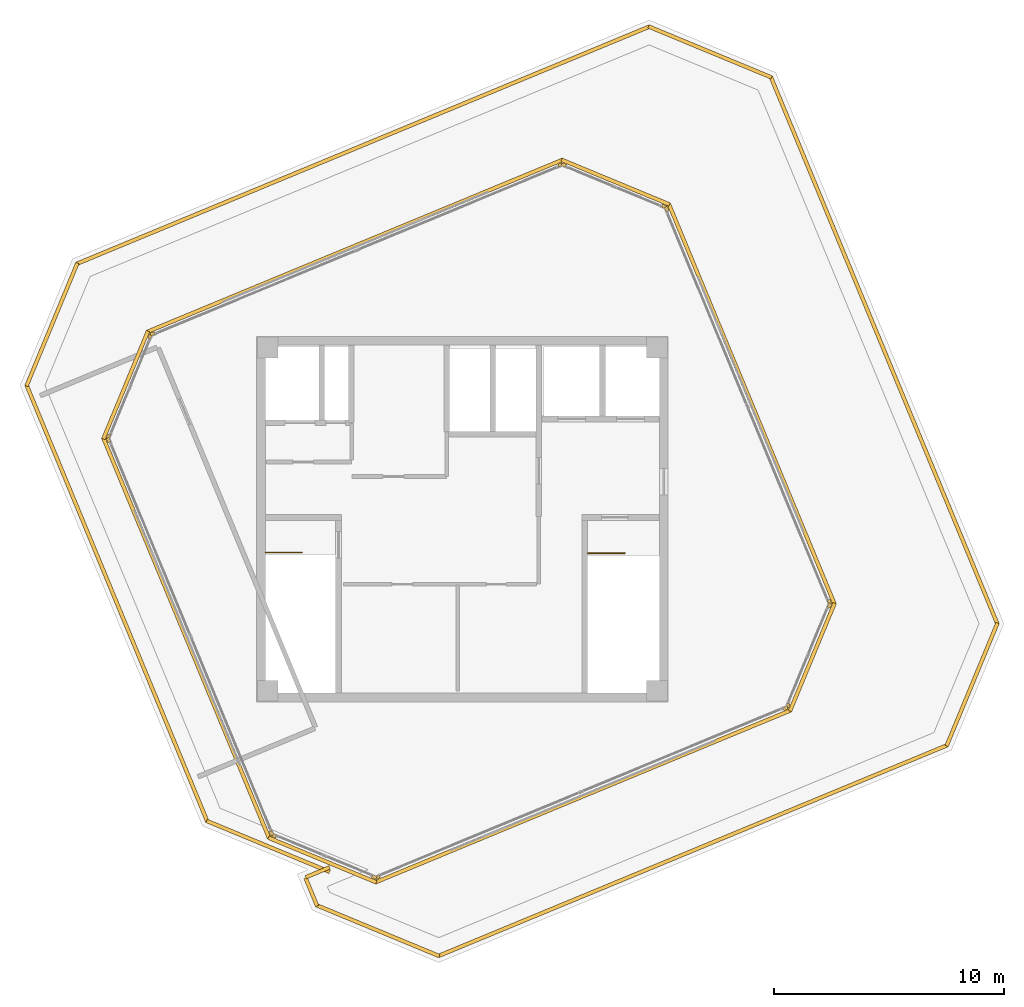
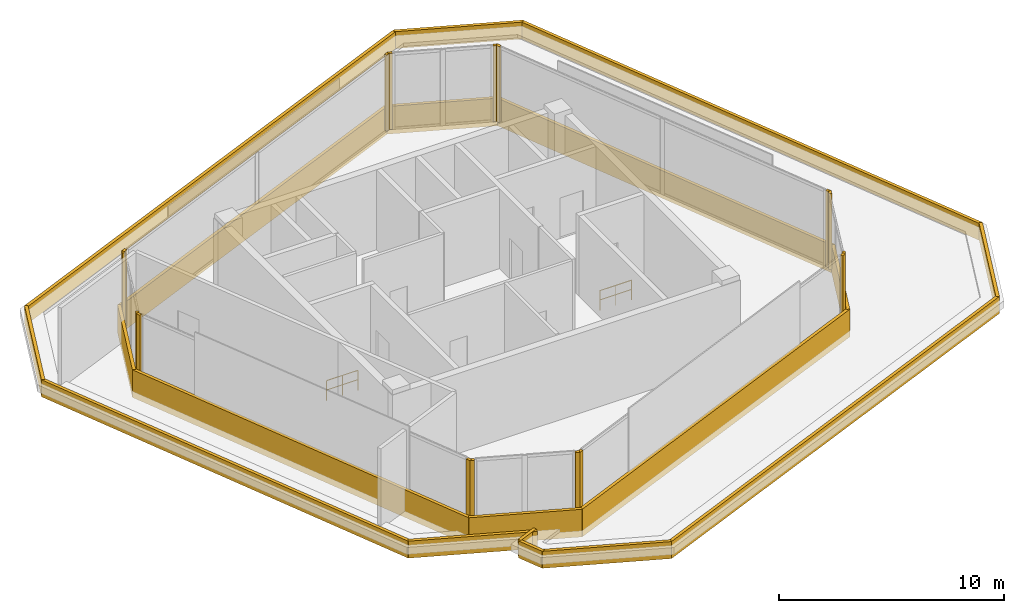
# One storey, part 11 of 11: 35 coverings, 2 railings.
"""IFC4 building model written with IfcOpenShell, lengths in metres."""

from ifc_helpers import new_model, si_unit, direction, frame, origin, origin_2d, place, context, subcontext, project, spatial, rectangle, circle, extrude, source, transform, mapped, material, layer, layer_set, type_object, element, save


model = new_model("IFC4")

# Units and contexts
model_context = context("Model", 3, precision=1e-05, world=origin(), true_north=direction((0.0, 1.0)))
body_context = subcontext(model_context, "Body", "Model", "MODEL_VIEW")
ifc_project = project(units=[si_unit("LENGTHUNIT", "METRE"), si_unit("AREAUNIT", "SQUARE_METRE"), si_unit("VOLUMEUNIT", "CUBIC_METRE"), si_unit("PLANEANGLEUNIT", "RADIAN"), si_unit("MASSUNIT", "GRAM", prefix="KILO")], contexts=[model_context])

# Site, building, storey
site_placement = place(None, origin())
site = spatial("IfcSite", under=ifc_project, at=site_placement, CompositionType="ELEMENT")
building_placement = place(site_placement, origin())
building = spatial("IfcBuilding", under=site, at=building_placement, Name="Torre Montelarca", CompositionType="ELEMENT")
storey_placement = place(building_placement, frame((0.0, 0.0, 366.0)))
storey = spatial("IfcBuildingStorey", under=building, at=storey_placement, Name="L82", CompositionType="ELEMENT", Elevation=366.0)

# Railings
ifc_material_1 = material(Name="Powder-coated steel ASTM A500 Grade C", Category="steel")
railing_type = type_object("IfcRailingType", Name="RL-GUARD-1100", PredefinedType="BALUSTRADE", material=ifc_material_1)
railing_1_placement = place(storey_placement, frame((9.449951171875, 30.550048828125, 0.0)))
element("IfcRailing", 1, at=railing_1_placement, inside=storey, type_object=railing_type, Name="L82 ST1 top well guard 1", PredefinedType="BALUSTRADE", context=body_context, shape_type="SweptSolid", body=[
    extrude(circle(Radius=0.02392578125, at=origin_2d()), frame((0.0, 0.0, 1.076171875), z_axis=(1.0, 0.0, 0.0), x_axis=(0.0, 1.0, 0.0)), (0.0, 0.0, 1.0), 1.60009765625),
    extrude(circle(Radius=0.02099609375, at=origin_2d()), frame((0.0, 0.0, 0.572021484375), z_axis=(1.0, 0.0, 0.0), x_axis=(0.0, 1.0, 0.0)), (0.0, 0.0, 1.0), 1.60009765625),
    extrude(circle(Radius=0.02099609375, at=origin_2d()), origin(), (0.0, 0.0, 1.0), 1.052001953125),
    extrude(circle(Radius=0.02099609375, at=origin_2d()), frame((0.800048828125, 0.0, 0.0)), (0.0, 0.0, 1.0), 1.052001953125),
    extrude(circle(Radius=0.02099609375, at=origin_2d()), frame((1.60009765625, 0.0, 0.0)), (0.0, 0.0, 1.0), 1.052001953125),
])
railing_2_placement = place(storey_placement, frame((23.43994140625, 30.52001953125, 0.0)))
element("IfcRailing", 2, at=railing_2_placement, inside=storey, type_object=railing_type, Name="L82 ST2 top well guard 1", PredefinedType="BALUSTRADE", context=body_context, shape_type="SweptSolid", body=[
    extrude(circle(Radius=0.02392578125, at=origin_2d()), frame((0.0, 0.0, 1.076171875), z_axis=(1.0, 0.0, 0.0), x_axis=(0.0, 1.0, 0.0)), (0.0, 0.0, 1.0), 1.630126953125),
    extrude(circle(Radius=0.02099609375, at=origin_2d()), frame((0.0, 0.0, 0.572021484375), z_axis=(1.0, 0.0, 0.0), x_axis=(0.0, 1.0, 0.0)), (0.0, 0.0, 1.0), 1.630126953125),
    extrude(circle(Radius=0.02099609375, at=origin_2d()), origin(), (0.0, 0.0, 1.0), 1.052001953125),
    extrude(circle(Radius=0.02099609375, at=origin_2d()), frame((0.81494140625, 0.0, 0.0)), (0.0, 0.0, 1.0), 1.052001953125),
    extrude(circle(Radius=0.02099609375, at=origin_2d()), frame((1.630126953125, 0.0, 0.0)), (0.0, 0.0, 1.0), 1.052001953125),
])

# Coverings
ifc_material_2 = material(Name="Bush-hammered warm white precast concrete C45/55", Category="concrete")
ifc_layer = layer(ifc_material_2, 0.139892578125, Name="Bush-hammered warm white precast concrete C45/55", Category="concrete")
ifc_layer_set = layer_set([ifc_layer], Name="Bush-hammered warm white precast concrete C45/55")
covering_type = type_object("IfcCoveringType", Name="COV-TRAY-CLAD", PredefinedType="CLADDING", material=ifc_layer_set)
shared_shape_1 = source(origin(), body_context, "Body", "SweptSolid", [
    extrude(rectangle(XDim=0.199951171875, YDim=0.139892578125, at=origin_2d()), origin(), (0.0, 0.0, 1.0), 4.1201171875),
])
for number, where, z_axis, x_axis, name in (
    (3, (2.642578125, 35.4287109375, 0.0), (0.0, 0.0, 1.0), (0.382683432365, -0.923879532511, 0.0), "L82 Architectural Column Pier Cladding E01-1"),
    (4, (9.7099609375, 18.3662109375, 0.0), (0.0, 0.0, 1.0), (0.382683432365, -0.923879532511, 0.0), "L82 Architectural Column Pier Cladding E01-2"),
    (5, (9.812744140625, 18.263427734375, 0.0), (0.0, 0.0, 1.0), (0.923875525009, -0.382693107188, 0.0), "L82 Architectural Column Pier Cladding E02-1"),
    (6, (14.17138671875, 16.4580078125, 0.0), (0.0, 0.0, 1.0), (0.923875525009, -0.382693107188, 0.0), "L82 Architectural Column Pier Cladding E02-2"),
    (7, (14.316650390625, 16.4580078125, 0.0), (0.0, 0.0, 1.0), (0.923878864601, 0.382685044838, 0.0), "L82 Architectural Column Pier Cladding E03-1"),
    (8, (32.02587890625, 23.79345703125, 0.0), (0.0, 0.0, 1.0), (0.923878864601, 0.382685044838, 0.0), "L82 Architectural Column Pier Cladding E03-2"),
    (9, (32.128662109375, 23.89599609375, 0.0), (0.0, 0.0, 1.0), (0.382685044838, 0.923878864601, 0.0), "L82 Architectural Column Pier Cladding E04-1"),
    (10, (33.93408203125, 28.2548828125, 0.0), (0.0, 0.0, 1.0), (0.382685044838, 0.923878864601, 0.0), "L82 Architectural Column Pier Cladding E04-2"),
    (11, (33.93408203125, 28.400146484375, 0.0), (0.0, 0.0, 1.0), (-0.382685044838, 0.923878864601, 0.0), "L82 Architectural Column Pier Cladding E05-1"),
    (12, (26.86669921875, 45.462646484375, 0.0), (0.0, 0.0, 1.0), (-0.382685044838, 0.923878864601, 0.0), "L82 Architectural Column Pier Cladding E05-2"),
    (13, (26.763916015625, 45.565185546875, 0.0), (0.0, 0.0, 1.0), (-0.923878864601, 0.382685044838, 0.0), "L82 Architectural Column Pier Cladding E06-1"),
    (14, (22.405029296875, 47.370849609375, 0.0), (0.0, 0.0, 1.0), (-0.923878864601, 0.382685044838, 0.0), "L82 Architectural Column Pier Cladding E06-2"),
    (15, (22.259765625, 47.370849609375, 0.0), (0.0, 0.0, 1.0), (-0.923878196688, -0.382686657311, 0.0), "L82 Architectural Column Pier Cladding E07-1"),
    (16, (4.55078125, 40.035400390625, 0.0), (0.0, 0.0, 1.0), (-0.923878196688, -0.382686657311, 0.0), "L82 Architectural Column Pier Cladding E07-2"),
    (17, (4.447998046875, 39.9326171875, 0.0), (0.0, 0.0, 1.0), (-0.382693107188, -0.923875525009, 0.0), "L82 Architectural Column Pier Cladding E08-1"),
    (18, (2.642578125, 35.573974609375, 0.0), (0.0, 0.0, 1.0), (-0.382693107188, -0.923875525009, 0.0), "L82 Architectural Column Pier Cladding E08-2"),
):
    element("IfcCovering", number, at=place(storey_placement, frame(where, z_axis=z_axis, x_axis=x_axis)), inside=storey, type_object=covering_type, Name=name, PredefinedType="CLADDING", context=body_context, shape_type="MappedRepresentation", body=[
        mapped(shared_shape_1, transform((0.0, 0.0, 0.0), scale=1.0)),
    ])
shared_shape_2 = source(origin(), body_context, "Body", "SweptSolid", [
    extrude(rectangle(XDim=18.820068359375, YDim=0.159912109375, at=origin_2d()), origin(), (0.0, 0.0, 1.0), 1.5),
])
for number, where, z_axis, x_axis, name in (
    (19, (6.019287109375, 26.83251953125, -0.35009765625), (0.0, 0.0, 1.0), (0.382683432365, -0.923879532511, 0.0), "L82 Architectural White Spandrel Tray Band CRNL82-01"),
    (20, (30.557373046875, 36.99658203125, -0.35009765625), (0.0, 0.0, 1.0), (-0.382685044838, 0.923878864601, 0.0), "L82 Architectural White Spandrel Tray Band CRNL82-05"),
):
    element("IfcCovering", number, at=place(storey_placement, frame(where, z_axis=z_axis, x_axis=x_axis)), inside=storey, type_object=covering_type, Name=name, PredefinedType="CLADDING", context=body_context, shape_type="MappedRepresentation", body=[
        mapped(shared_shape_2, transform((0.0, 0.0, 0.0), scale=1.0)),
    ])
shared_shape_3 = source(origin(), body_context, "Body", "SweptSolid", [
    extrude(rectangle(XDim=5.069580078125, YDim=0.159912109375, at=origin_2d()), origin(), (0.0, 0.0, 1.0), 1.5),
])
for number, where, z_axis, x_axis, name in (
    (21, (11.927001953125, 17.20361328125, -0.35009765625), (0.0, 0.0, 1.0), (0.923876192933, -0.38269149472, 0.0), "L82 Architectural White Spandrel Tray Band CRNL82-02"),
    (22, (3.38818359375, 37.818359375, -0.35009765625), (0.0, 0.0, 1.0), (-0.38269149472, -0.923876192933, 0.0), "L82 Architectural White Spandrel Tray Band CRNL82-08"),
):
    element("IfcCovering", number, at=place(storey_placement, frame(where, z_axis=z_axis, x_axis=x_axis)), inside=storey, type_object=covering_type, Name=name, PredefinedType="CLADDING", context=body_context, shape_type="MappedRepresentation", body=[
        mapped(shared_shape_3, transform((0.0, 0.0, 0.0), scale=1.0)),
    ])
shared_shape_4 = source(origin(), body_context, "Body", "SweptSolid", [
    extrude(rectangle(XDim=19.52001953125, YDim=0.159912109375, at=origin_2d()), origin(), (0.0, 0.0, 1.0), 1.5),
])
for number, where, z_axis, x_axis, name in (
    (23, (23.236328125, 19.968505859375, -0.35009765625), (0.0, 0.0, 1.0), (0.923878864601, 0.382685044838, 0.0), "L82 Architectural White Spandrel Tray Band CRNL82-03"),
    (24, (13.340087890625, 43.860107421875, -0.35009765625), (0.0, 0.0, 1.0), (-0.923878196688, -0.382686657311, 0.0), "L82 Architectural White Spandrel Tray Band CRNL82-07"),
):
    element("IfcCovering", number, at=place(storey_placement, frame(where, z_axis=z_axis, x_axis=x_axis)), inside=storey, type_object=covering_type, Name=name, PredefinedType="CLADDING", context=body_context, shape_type="MappedRepresentation", body=[
        mapped(shared_shape_4, transform((0.0, 0.0, 0.0), scale=1.0)),
    ])
shared_shape_5 = source(origin(), body_context, "Body", "SweptSolid", [
    extrude(rectangle(XDim=5.06982421875, YDim=0.159912109375, at=origin_2d()), origin(), (0.0, 0.0, 1.0), 1.5),
])
for number, where, z_axis, x_axis, name in (
    (25, (33.1884765625, 26.010498046875, -0.35009765625), (0.0, 0.0, 1.0), (0.382683432365, 0.923879532511, 0.0), "L82 Architectural White Spandrel Tray Band CRNL82-04"),
    (26, (24.6494140625, 46.625, -0.35009765625), (0.0, 0.0, 1.0), (-0.923879532511, 0.382683432365, 0.0), "L82 Architectural White Spandrel Tray Band CRNL82-06"),
):
    element("IfcCovering", number, at=place(storey_placement, frame(where, z_axis=z_axis, x_axis=x_axis)), inside=storey, type_object=covering_type, Name=name, PredefinedType="CLADDING", context=body_context, shape_type="MappedRepresentation", body=[
        mapped(shared_shape_5, transform((0.0, 0.0, 0.0), scale=1.0)),
    ])
shared_shape_6 = source(origin(), body_context, "Body", "SweptSolid", [
    extrude(rectangle(XDim=20.52001953125, YDim=0.159912109375, at=origin_2d()), origin(), (0.0, 0.0, 1.0), 0.919921875),
])
covering_1_placement = place(storey_placement, frame((3.0107421875, 28.346435546875, -0.5400390625), z_axis=(0.0, 0.0, 1.0), x_axis=(0.382685044838, -0.923878864601, 0.0)))
element("IfcCovering", 27, at=covering_1_placement, inside=storey, type_object=covering_type, Name="L82 Architectural White Spandrel Tray Band LOOKCAN-01", PredefinedType="CLADDING", context=body_context, shape_type="MappedRepresentation", body=[
    mapped(shared_shape_6, transform((0.0, 0.0, 0.0), scale=1.0)),
])
shared_shape_7 = source(origin(), body_context, "Body", "SweptSolid", [
    extrude(rectangle(XDim=5.77685546875, YDim=0.159912109375, at=origin_2d()), origin(), (0.0, 0.0, 1.0), 0.919921875),
])
for number, where, z_axis, x_axis, name in (
    (28, (9.570556640625, 17.797119140625, -0.5400390625), (0.0, 0.0, 1.0), (0.923877528773, -0.382688269782, 0.0), "L82 Architectural White Spandrel Tray Band LOOKCAN-02"),
    (29, (14.332275390625, 14.14111328125, -0.5400390625), (0.0, 0.0, 1.0), (0.923877528773, -0.382688269782, 0.0), "L82 Architectural White Spandrel Tray Band LOOKCAN-05"),
    (30, (40.12060546875, 24.822998046875, -0.5400390625), (0.0, 0.0, 1.0), (0.382688269782, 0.923877528773, 0.0), "L82 Architectural White Spandrel Tray Band LOOKCAN-07"),
    (31, (28.749755859375, 52.274169921875, -0.5400390625), (0.0, 0.0, 1.0), (-0.923877528773, 0.382688269782, 0.0), "L82 Architectural White Spandrel Tray Band LOOKCAN-09"),
    (32, (0.189697265625, 40.4443359375, -0.5400390625), (0.0, 0.0, 1.0), (-0.382688269782, -0.923877528773, 0.0), "L82 Architectural White Spandrel Tray Band LOOKCAN-11"),
):
    element("IfcCovering", number, at=place(storey_placement, frame(where, z_axis=z_axis, x_axis=x_axis)), inside=storey, type_object=covering_type, Name=name, PredefinedType="CLADDING", context=body_context, shape_type="MappedRepresentation", body=[
        mapped(shared_shape_7, transform((0.0, 0.0, 0.0), scale=1.0)),
    ])
shared_shape_8 = source(origin(), body_context, "Body", "SweptSolid", [
    extrude(rectangle(XDim=1.1201171875, YDim=0.159912109375, at=origin_2d()), origin(), (0.0, 0.0, 1.0), 0.919921875),
])
covering_2_placement = place(storey_placement, frame((11.7216796875, 16.671142578125, -0.5400390625), z_axis=(0.0, 0.0, 1.0), x_axis=(-0.923876860854, -0.382689882252, 0.0)))
element("IfcCovering", 33, at=covering_2_placement, inside=storey, type_object=covering_type, Name="L82 Architectural White Spandrel Tray Band LOOKCAN-03", PredefinedType="CLADDING", context=body_context, shape_type="MappedRepresentation", body=[
    mapped(shared_shape_8, transform((0.0, 0.0, 0.0), scale=1.0)),
])
shared_shape_9 = source(origin(), body_context, "Body", "SweptSolid", [
    extrude(rectangle(XDim=1.320068359375, YDim=0.159912109375, at=origin_2d()), origin(), (0.0, 0.0, 1.0), 0.919921875),
])
covering_3_placement = place(storey_placement, frame((11.446044921875, 15.821044921875, -0.5400390625), z_axis=(0.0, 0.0, 1.0), x_axis=(0.382755992514, -0.923849473775, 0.0)))
element("IfcCovering", 34, at=covering_3_placement, inside=storey, type_object=covering_type, Name="L82 Architectural White Spandrel Tray Band LOOKCAN-04", PredefinedType="CLADDING", context=body_context, shape_type="MappedRepresentation", body=[
    mapped(shared_shape_9, transform((0.0, 0.0, 0.0), scale=1.0)),
])
shared_shape_10 = source(origin(), body_context, "Body", "SweptSolid", [
    extrude(rectangle(XDim=23.919921875, YDim=0.159912109375, at=origin_2d()), origin(), (0.0, 0.0, 1.0), 0.919921875),
])
covering_4_placement = place(storey_placement, frame((28.000732421875, 17.612548828125, -0.5400390625), z_axis=(0.0, 0.0, 1.0), x_axis=(0.923878864601, 0.382685044838, 0.0)))
element("IfcCovering", 35, at=covering_4_placement, inside=storey, type_object=covering_type, Name="L82 Architectural White Spandrel Tray Band LOOKCAN-06", PredefinedType="CLADDING", context=body_context, shape_type="MappedRepresentation", body=[
    mapped(shared_shape_10, transform((0.0, 0.0, 0.0), scale=1.0)),
])
shared_shape_11 = source(origin(), body_context, "Body", "SweptSolid", [
    extrude(rectangle(XDim=25.719970703125, YDim=0.159912109375, at=origin_2d()), origin(), (0.0, 0.0, 1.0), 0.919921875),
])
covering_5_placement = place(storey_placement, frame((36.3046875, 39.322998046875, -0.5400390625), z_axis=(0.0, 0.0, 1.0), x_axis=(-0.382683432365, 0.923879532511, 0.0)))
element("IfcCovering", 36, at=covering_5_placement, inside=storey, type_object=covering_type, Name="L82 Architectural White Spandrel Tray Band LOOKCAN-08", PredefinedType="CLADDING", context=body_context, shape_type="MappedRepresentation", body=[
    mapped(shared_shape_11, transform((0.0, 0.0, 0.0), scale=1.0)),
])
shared_shape_12 = source(origin(), body_context, "Body", "SweptSolid", [
    extrude(rectangle(XDim=26.919921875, YDim=0.159912109375, at=origin_2d()), origin(), (0.0, 0.0, 1.0), 0.919921875),
])
covering_6_placement = place(storey_placement, frame((13.695556640625, 48.228759765625, -0.5400390625), z_axis=(0.0, 0.0, 1.0), x_axis=(-0.923880200418, -0.382681819891, 0.0)))
element("IfcCovering", 37, at=covering_6_placement, inside=storey, type_object=covering_type, Name="L82 Architectural White Spandrel Tray Band LOOKCAN-10", PredefinedType="CLADDING", context=body_context, shape_type="MappedRepresentation", body=[
    mapped(shared_shape_12, transform((0.0, 0.0, 0.0), scale=1.0)),
])

save(model, "model.ifc")
